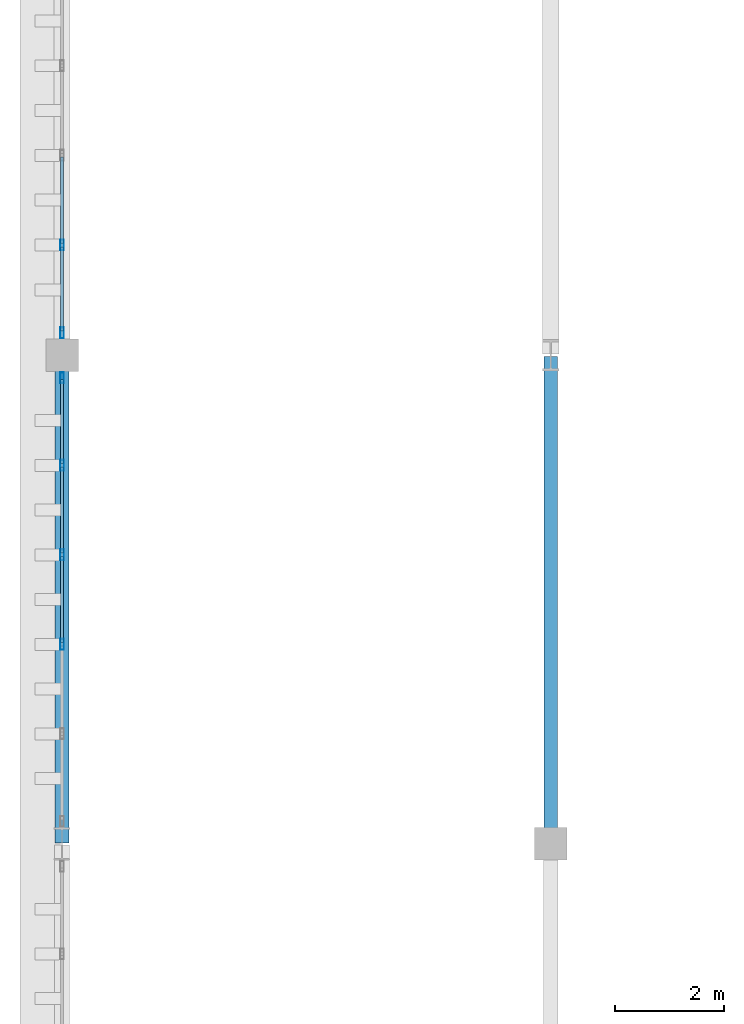
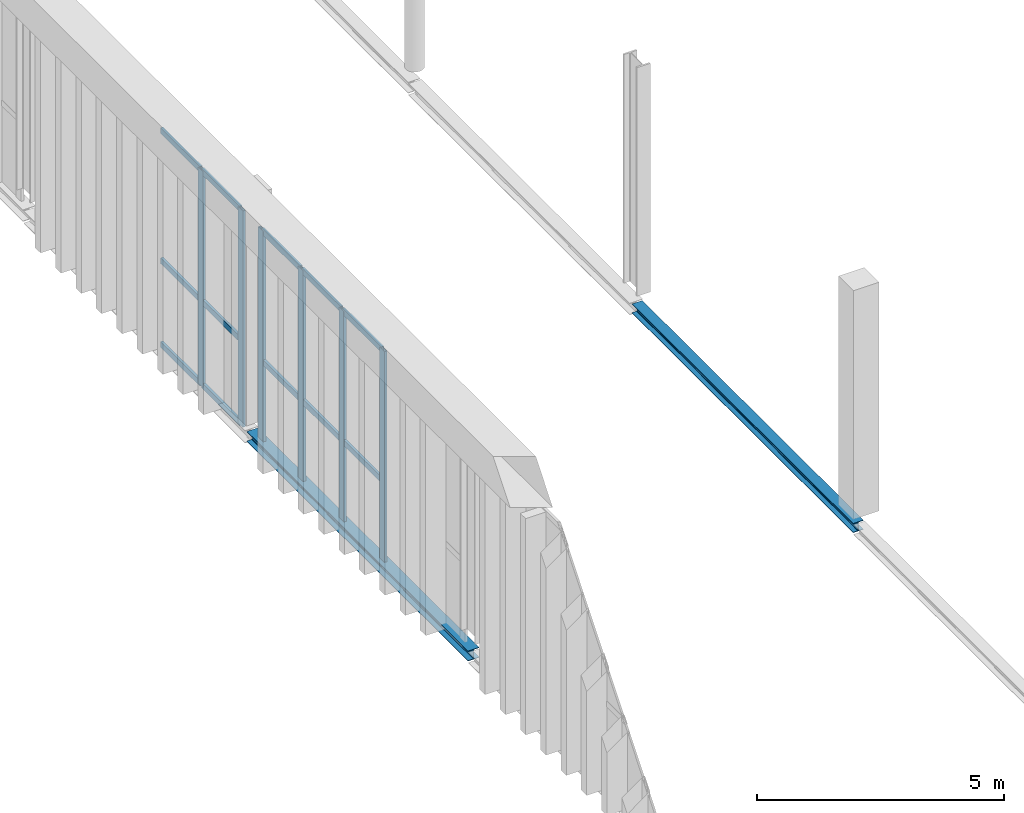
# One storey, part 92 of 237: 21 members, 2 beams, 2 elements without a shape of their own.
"""IFC4 building model written with IfcOpenShell, lengths in metres."""

from ifc_helpers import new_model, si_unit, direction, frame, origin, origin_2d, place, context, subcontext, project, spatial, hollow_rectangle, i_section, extrude, material, layer, layer_set, material_profile, profile_set, type_object, element, aggregate, save


model = new_model("IFC4")

# Units and contexts
model_context = context("Model", 3, precision=1e-05, world=origin(), true_north=direction((0.0, 1.0)))
body_context = subcontext(model_context, "Body", "Model", "MODEL_VIEW")
ifc_project = project(units=[si_unit("LENGTHUNIT", "METRE"), si_unit("AREAUNIT", "SQUARE_METRE"), si_unit("VOLUMEUNIT", "CUBIC_METRE"), si_unit("PLANEANGLEUNIT", "RADIAN"), si_unit("MASSUNIT", "GRAM", prefix="KILO")], contexts=[model_context])

# Site, building, storey
site_placement = place(None, origin())
site = spatial("IfcSite", under=ifc_project, at=site_placement, CompositionType="ELEMENT")
building_placement = place(site_placement, origin())
building = spatial("IfcBuilding", under=site, at=building_placement, Name="Barlavento Convention Centre", CompositionType="ELEMENT")
storey_placement = place(building_placement, frame((0.0, 0.0, 12.0)))
storey = spatial("IfcBuildingStorey", under=building, at=storey_placement, Name="L02", CompositionType="ELEMENT", Elevation=12.0)

# Curtain wall, members
ifc_material_1 = material(Name="Powder-coated aluminium and Low-E glass", Category="aluminium")
ifc_layer = layer(ifc_material_1, 0.18505859375)
ifc_layer_set = layer_set([ifc_layer], Name="ARC-CW-EXH-L02")
curtain_wall_type = type_object("IfcCurtainWallType", Name="ARC-CW-EXH-L02", PredefinedType="NOTDEFINED", material=ifc_layer_set)
curtain_wall_1_placement = place(storey_placement, origin())
curtain_wall_1 = element("IfcCurtainWall", 1, at=curtain_wall_1_placement, inside=storey, type_object=curtain_wall_type, Name="L02 unitised curtain wall CW05", PredefinedType="NOTDEFINED")
ifc_material_2 = material(Name="Powder-coated aluminium", Category="aluminium")
ifc_material_profile_1 = material_profile(ifc_material_2, hollow_rectangle(XDim=0.06494140625, YDim=0.199951171875, WallThickness=0.0048828125, at=origin_2d()), Name="AL-MULL 65x200x5")
ifc_profile_set_1 = profile_set([ifc_material_profile_1], Name="Powder-coated aluminium")
member_type_1 = type_object("IfcMemberType", Name="ARC-CWM-65X200", PredefinedType="MULLION", material=ifc_profile_set_1)
member_1_placement = place(storey_placement, frame((0.0, 93.676025390625, -0.5), z_axis=(0.0, 0.0, 1.0), x_axis=(-1.0, 0.0, 0.0)))
member_1 = element("IfcMember", 2, at=member_1_placement, type_object=member_type_1, Name="CW05 mullion 3", PredefinedType="MULLION", context=body_context, shape_type="SweptSolid", body=[
    extrude(hollow_rectangle(XDim=0.06494140625, YDim=0.199951171875, WallThickness=0.0048828125, at=origin_2d()), origin(), (0.0, 0.0, 1.0), 5.35009765625),
])
member_2_placement = place(storey_placement, frame((0.0, 95.323974609375, -0.5), z_axis=(0.0, 0.0, 1.0), x_axis=(-1.0, 0.0, 0.0)))
member_2 = element("IfcMember", 3, at=member_2_placement, type_object=member_type_1, Name="CW05 mullion 4", PredefinedType="MULLION", context=body_context, shape_type="SweptSolid", body=[
    extrude(hollow_rectangle(XDim=0.06494140625, YDim=0.199951171875, WallThickness=0.0048828125, at=origin_2d()), origin(), (0.0, 0.0, 1.0), 5.35009765625),
])
member_3_placement = place(storey_placement, frame((0.0, 96.971923828125, -0.5), z_axis=(0.0, 0.0, 1.0), x_axis=(-1.0, 0.0, 0.0)))
member_3 = element("IfcMember", 4, at=member_3_placement, type_object=member_type_1, Name="CW05 mullion 5", PredefinedType="MULLION", context=body_context, shape_type="SweptSolid", body=[
    extrude(hollow_rectangle(XDim=0.06494140625, YDim=0.199951171875, WallThickness=0.0048828125, at=origin_2d()), origin(), (0.0, 0.0, 1.0), 5.35009765625),
])
member_4_placement = place(storey_placement, frame((0.0, 98.58740234375, -0.5), z_axis=(0.0, 0.0, 1.0), x_axis=(-1.0, 0.0, 0.0)))
member_4 = element("IfcMember", 5, at=member_4_placement, type_object=member_type_1, Name="CW05 mullion 6", PredefinedType="MULLION", context=body_context, shape_type="SweptSolid", body=[
    extrude(hollow_rectangle(XDim=0.06494140625, YDim=0.199951171875, WallThickness=0.0048828125, at=origin_2d()), origin(), (0.0, 0.0, 1.0), 5.35009765625),
])

curtain_wall_2_placement = place(storey_placement, origin())
curtain_wall_2 = element("IfcCurtainWall", 6, at=curtain_wall_2_placement, inside=storey, type_object=curtain_wall_type, Name="L02 unitised curtain wall CW05", PredefinedType="NOTDEFINED")
member_5_placement = place(storey_placement, frame((0.0, 99.41259765625, -0.5), z_axis=(0.0, 0.0, 1.0), x_axis=(-1.0, 0.0, 0.0)))
member_5 = element("IfcMember", 7, at=member_5_placement, type_object=member_type_1, Name="CW05 mullion 1", PredefinedType="MULLION", context=body_context, shape_type="SweptSolid", body=[
    extrude(hollow_rectangle(XDim=0.06494140625, YDim=0.199951171875, WallThickness=0.0048828125, at=origin_2d()), origin(), (0.0, 0.0, 1.0), 5.35009765625),
])
member_6_placement = place(storey_placement, frame((0.0, 101.03076171875, -0.5), z_axis=(0.0, 0.0, 1.0), x_axis=(-1.0, 0.0, 0.0)))
member_6 = element("IfcMember", 8, at=member_6_placement, type_object=member_type_1, Name="CW05 mullion 2", PredefinedType="MULLION", context=body_context, shape_type="SweptSolid", body=[
    extrude(hollow_rectangle(XDim=0.06494140625, YDim=0.199951171875, WallThickness=0.0048828125, at=origin_2d()), origin(), (0.0, 0.0, 1.0), 5.35009765625),
])

# Member
ifc_material_profile_2 = material_profile(ifc_material_2, hollow_rectangle(XDim=0.06005859375, YDim=0.139892578125, WallThickness=0.00390625, at=origin_2d()), Name="AL-TRAN 60x140x4")
ifc_profile_set_2 = profile_set([ifc_material_profile_2], Name="Powder-coated aluminium")
member_type_2 = type_object("IfcMemberType", Name="ARC-CWT-60X140", PredefinedType="USERDEFINED", material=ifc_profile_set_2)
member_7_placement = place(storey_placement, frame((0.0, 93.70849609375, -0.469970703125), z_axis=(0.0, 1.0, 0.0), x_axis=(-1.0, 0.0, 0.0)))
member_7 = element("IfcMember", 9, at=member_7_placement, type_object=member_type_2, Name="CW05 transom 3.1", ObjectType="TRANSOM", PredefinedType="USERDEFINED", context=body_context, shape_type="SweptSolid", body=[
    extrude(hollow_rectangle(XDim=0.06005859375, YDim=0.139892578125, WallThickness=0.00390625, at=origin_2d()), origin(), (0.0, 0.0, 1.0), 1.5830078125),
])

member_8_placement = place(storey_placement, frame((0.0, 93.70849609375, 1.60009765625), z_axis=(0.0, 1.0, 0.0), x_axis=(-1.0, 0.0, 0.0)))
member_8 = element("IfcMember", 10, at=member_8_placement, type_object=member_type_2, Name="CW05 transom 3.2", ObjectType="TRANSOM", PredefinedType="USERDEFINED", context=body_context, shape_type="SweptSolid", body=[
    extrude(hollow_rectangle(XDim=0.06005859375, YDim=0.139892578125, WallThickness=0.00390625, at=origin_2d()), origin(), (0.0, 0.0, 1.0), 1.5830078125),
])

member_9_placement = place(storey_placement, frame((0.0, 93.70849609375, 4.820068359375), z_axis=(0.0, 1.0, 0.0), x_axis=(-1.0, 0.0, 0.0)))
member_9 = element("IfcMember", 11, at=member_9_placement, type_object=member_type_2, Name="CW05 transom 3.3", ObjectType="TRANSOM", PredefinedType="USERDEFINED", context=body_context, shape_type="SweptSolid", body=[
    extrude(hollow_rectangle(XDim=0.06005859375, YDim=0.139892578125, WallThickness=0.00390625, at=origin_2d()), origin(), (0.0, 0.0, 1.0), 1.5830078125),
])

member_10_placement = place(storey_placement, frame((0.0, 95.3564453125, -0.469970703125), z_axis=(0.0, 1.0, 0.0), x_axis=(-1.0, 0.0, 0.0)))
member_10 = element("IfcMember", 12, at=member_10_placement, type_object=member_type_2, Name="CW05 transom 4.1", ObjectType="TRANSOM", PredefinedType="USERDEFINED", context=body_context, shape_type="SweptSolid", body=[
    extrude(hollow_rectangle(XDim=0.06005859375, YDim=0.139892578125, WallThickness=0.00390625, at=origin_2d()), origin(), (0.0, 0.0, 1.0), 1.5830078125),
])

member_11_placement = place(storey_placement, frame((0.0, 95.3564453125, 1.60009765625), z_axis=(0.0, 1.0, 0.0), x_axis=(-1.0, 0.0, 0.0)))
member_11 = element("IfcMember", 13, at=member_11_placement, type_object=member_type_2, Name="CW05 transom 4.2", ObjectType="TRANSOM", PredefinedType="USERDEFINED", context=body_context, shape_type="SweptSolid", body=[
    extrude(hollow_rectangle(XDim=0.06005859375, YDim=0.139892578125, WallThickness=0.00390625, at=origin_2d()), origin(), (0.0, 0.0, 1.0), 1.5830078125),
])

member_12_placement = place(storey_placement, frame((0.0, 95.3564453125, 4.820068359375), z_axis=(0.0, 1.0, 0.0), x_axis=(-1.0, 0.0, 0.0)))
member_12 = element("IfcMember", 14, at=member_12_placement, type_object=member_type_2, Name="CW05 transom 4.3", ObjectType="TRANSOM", PredefinedType="USERDEFINED", context=body_context, shape_type="SweptSolid", body=[
    extrude(hollow_rectangle(XDim=0.06005859375, YDim=0.139892578125, WallThickness=0.00390625, at=origin_2d()), origin(), (0.0, 0.0, 1.0), 1.5830078125),
])

member_13_placement = place(storey_placement, frame((0.0, 97.00439453125, -0.469970703125), z_axis=(0.0, 1.0, 0.0), x_axis=(-1.0, 0.0, 0.0)))
member_13 = element("IfcMember", 15, at=member_13_placement, type_object=member_type_2, Name="CW05 transom 5.1", ObjectType="TRANSOM", PredefinedType="USERDEFINED", context=body_context, shape_type="SweptSolid", body=[
    extrude(hollow_rectangle(XDim=0.06005859375, YDim=0.139892578125, WallThickness=0.00390625, at=origin_2d()), origin(), (0.0, 0.0, 1.0), 1.550537109375),
])

member_14_placement = place(storey_placement, frame((0.0, 97.00439453125, 1.60009765625), z_axis=(0.0, 1.0, 0.0), x_axis=(-1.0, 0.0, 0.0)))
member_14 = element("IfcMember", 16, at=member_14_placement, type_object=member_type_2, Name="CW05 transom 5.2", ObjectType="TRANSOM", PredefinedType="USERDEFINED", context=body_context, shape_type="SweptSolid", body=[
    extrude(hollow_rectangle(XDim=0.06005859375, YDim=0.139892578125, WallThickness=0.00390625, at=origin_2d()), origin(), (0.0, 0.0, 1.0), 1.550537109375),
])

member_15_placement = place(storey_placement, frame((0.0, 97.00439453125, 4.820068359375), z_axis=(0.0, 1.0, 0.0), x_axis=(-1.0, 0.0, 0.0)))
member_15 = element("IfcMember", 17, at=member_15_placement, type_object=member_type_2, Name="CW05 transom 5.3", ObjectType="TRANSOM", PredefinedType="USERDEFINED", context=body_context, shape_type="SweptSolid", body=[
    extrude(hollow_rectangle(XDim=0.06005859375, YDim=0.139892578125, WallThickness=0.00390625, at=origin_2d()), origin(), (0.0, 0.0, 1.0), 1.550537109375),
])

aggregate(curtain_wall_1, [member_1, member_2, member_3, member_4, member_7, member_8, member_9, member_10, member_11, member_12, member_13, member_14, member_15])

member_16_placement = place(storey_placement, frame((0.0, 99.445068359375, -0.469970703125), z_axis=(0.0, 1.0, 0.0), x_axis=(-1.0, 0.0, 0.0)))
member_16 = element("IfcMember", 18, at=member_16_placement, type_object=member_type_2, Name="CW05 transom 1.1", ObjectType="TRANSOM", PredefinedType="USERDEFINED", context=body_context, shape_type="SweptSolid", body=[
    extrude(hollow_rectangle(XDim=0.06005859375, YDim=0.139892578125, WallThickness=0.00390625, at=origin_2d()), origin(), (0.0, 0.0, 1.0), 1.55322265625),
])

member_17_placement = place(storey_placement, frame((0.0, 99.445068359375, 1.60009765625), z_axis=(0.0, 1.0, 0.0), x_axis=(-1.0, 0.0, 0.0)))
member_17 = element("IfcMember", 19, at=member_17_placement, type_object=member_type_2, Name="CW05 transom 1.2", ObjectType="TRANSOM", PredefinedType="USERDEFINED", context=body_context, shape_type="SweptSolid", body=[
    extrude(hollow_rectangle(XDim=0.06005859375, YDim=0.139892578125, WallThickness=0.00390625, at=origin_2d()), origin(), (0.0, 0.0, 1.0), 1.55322265625),
])

member_18_placement = place(storey_placement, frame((0.0, 99.445068359375, 4.820068359375), z_axis=(0.0, 1.0, 0.0), x_axis=(-1.0, 0.0, 0.0)))
member_18 = element("IfcMember", 20, at=member_18_placement, type_object=member_type_2, Name="CW05 transom 1.3", ObjectType="TRANSOM", PredefinedType="USERDEFINED", context=body_context, shape_type="SweptSolid", body=[
    extrude(hollow_rectangle(XDim=0.06005859375, YDim=0.139892578125, WallThickness=0.00390625, at=origin_2d()), origin(), (0.0, 0.0, 1.0), 1.55322265625),
])

member_19_placement = place(storey_placement, frame((0.0, 101.063232421875, -0.469970703125), z_axis=(0.0, 1.0, 0.0), x_axis=(-1.0, 0.0, 0.0)))
member_19 = element("IfcMember", 21, at=member_19_placement, type_object=member_type_2, Name="CW05 transom 2.1", ObjectType="TRANSOM", PredefinedType="USERDEFINED", context=body_context, shape_type="SweptSolid", body=[
    extrude(hollow_rectangle(XDim=0.06005859375, YDim=0.139892578125, WallThickness=0.00390625, at=origin_2d()), origin(), (0.0, 0.0, 1.0), 1.5859375),
])

member_20_placement = place(storey_placement, frame((0.0, 101.063232421875, 1.60009765625), z_axis=(0.0, 1.0, 0.0), x_axis=(-1.0, 0.0, 0.0)))
member_20 = element("IfcMember", 22, at=member_20_placement, type_object=member_type_2, Name="CW05 transom 2.2", ObjectType="TRANSOM", PredefinedType="USERDEFINED", context=body_context, shape_type="SweptSolid", body=[
    extrude(hollow_rectangle(XDim=0.06005859375, YDim=0.139892578125, WallThickness=0.00390625, at=origin_2d()), origin(), (0.0, 0.0, 1.0), 1.5859375),
])

member_21_placement = place(storey_placement, frame((0.0, 101.063232421875, 4.820068359375), z_axis=(0.0, 1.0, 0.0), x_axis=(-1.0, 0.0, 0.0)))
member_21 = element("IfcMember", 23, at=member_21_placement, type_object=member_type_2, Name="CW05 transom 2.3", ObjectType="TRANSOM", PredefinedType="USERDEFINED", context=body_context, shape_type="SweptSolid", body=[
    extrude(hollow_rectangle(XDim=0.06005859375, YDim=0.139892578125, WallThickness=0.00390625, at=origin_2d()), origin(), (0.0, 0.0, 1.0), 1.5859375),
])

aggregate(curtain_wall_2, [member_5, member_6, member_16, member_17, member_18, member_19, member_20, member_21])

# Beams
ifc_material_3 = material(Name="Steel S355", Category="steel")
ifc_material_profile_3 = material_profile(ifc_material_3, i_section(OverallWidth=0.239990234375, OverallDepth=0.22998046875, WebThickness=0.007568359375, FlangeThickness=0.011962890625, FilletRadius=0.02099609375, at=origin_2d()), Name="HEA 240")
ifc_profile_set_3 = profile_set([ifc_material_profile_3], Name="Steel S355")
beam_type_1 = type_object("IfcBeamType", Name="STR-BM-SPN-HEA240", PredefinedType="SPANDREL", material=ifc_profile_set_3)
beam_1_placement = place(storey_placement, frame((9.0, 90.02001953125, -0.47509765625), z_axis=(0.0, 1.0, 0.0), x_axis=(-1.0, 0.0, 0.0)))
element("IfcBeam", 24, at=beam_1_placement, inside=storey, type_object=beam_type_1, Name="L02 grid girder SP05", PredefinedType="SPANDREL", context=body_context, shape_type="SweptSolid", body=[
    extrude(i_section(OverallWidth=0.239990234375, OverallDepth=0.22998046875, WebThickness=0.007568359375, FlangeThickness=0.011962890625, FilletRadius=0.02099609375, at=origin_2d()), origin(), (0.0, 0.0, 1.0), 8.9599609375),
])
ifc_material_profile_4 = material_profile(ifc_material_3, i_section(OverallWidth=0.260009765625, OverallDepth=0.25, WebThickness=0.007568359375, FlangeThickness=0.012451171875, FilletRadius=0.02392578125, at=origin_2d()), Name="HEA 260")
ifc_profile_set_4 = profile_set([ifc_material_profile_4], Name="Steel S355")
beam_type_2 = type_object("IfcBeamType", Name="STR-BM-SPN-HEA260", PredefinedType="SPANDREL", material=ifc_profile_set_4)
beam_2_placement = place(storey_placement, frame((0.0, 90.02001953125, -0.485107421875), z_axis=(0.0, 1.0, 0.0), x_axis=(-1.0, 0.0, 0.0)))
element("IfcBeam", 25, at=beam_2_placement, inside=storey, type_object=beam_type_2, Name="L02 grid girder SP04", PredefinedType="SPANDREL", context=body_context, shape_type="SweptSolid", body=[
    extrude(i_section(OverallWidth=0.260009765625, OverallDepth=0.25, WebThickness=0.007568359375, FlangeThickness=0.012451171875, FilletRadius=0.02392578125, at=origin_2d()), origin(), (0.0, 0.0, 1.0), 8.9599609375),
])

save(model, "model.ifc")
